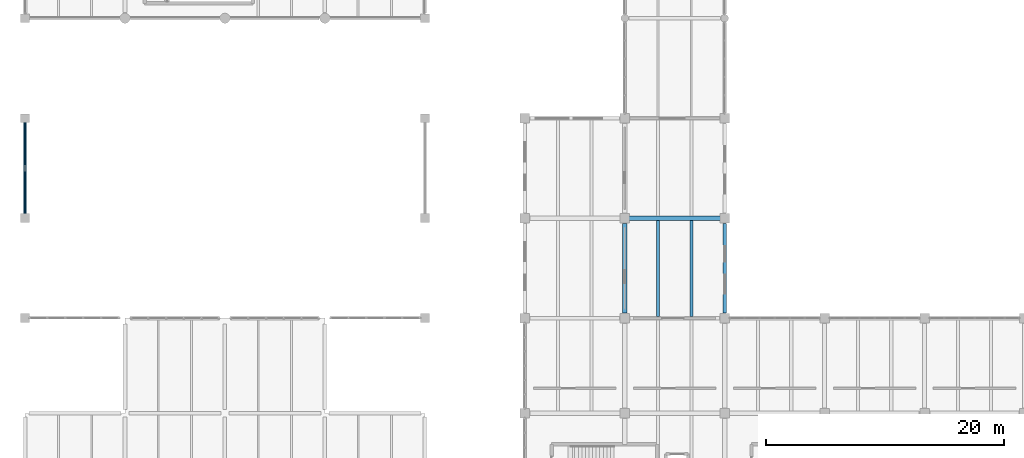
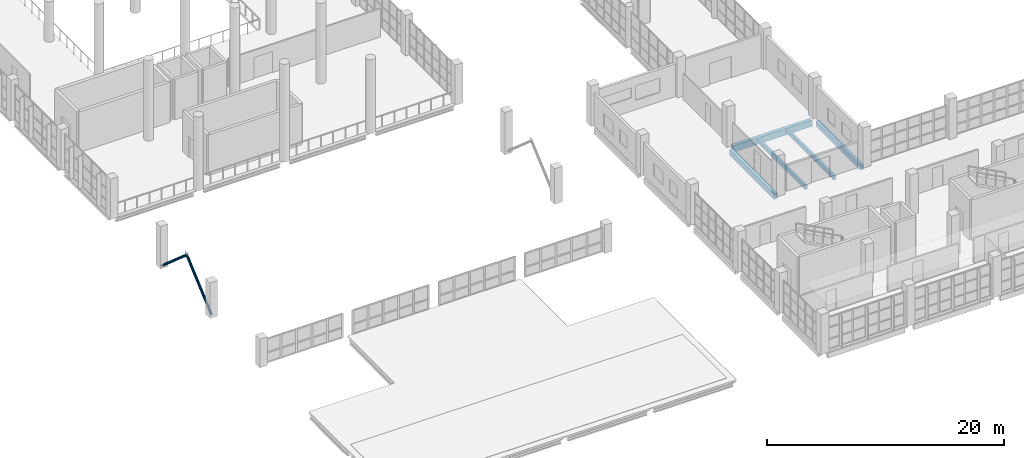
# One storey, part 24 of 177: 5 beams, 2 members.
"""IFC4 building model written with IfcOpenShell, lengths in metres."""

from ifc_helpers import new_model, si_unit, direction, frame, origin, origin_2d, place, context, subcontext, project, spatial, rectangle, hollow_circle, extrude, material, material_profile, profile_set, type_object, element, save


model = new_model("IFC4")

# Units and contexts
model_context = context("Model", 3, precision=1e-05, world=origin(), true_north=direction((0.0, 1.0)))
body_context = subcontext(model_context, "Body", "Model", "MODEL_VIEW")
ifc_project = project(units=[si_unit("LENGTHUNIT", "METRE"), si_unit("AREAUNIT", "SQUARE_METRE"), si_unit("VOLUMEUNIT", "CUBIC_METRE"), si_unit("PLANEANGLEUNIT", "RADIAN"), si_unit("MASSUNIT", "GRAM", prefix="KILO"), si_unit("THERMODYNAMICTEMPERATUREUNIT", "KELVIN"), si_unit("POWERUNIT", "WATT")], contexts=[model_context])

# Site, building, storey
site_placement = place(None, origin())
site = spatial("IfcSite", under=ifc_project, at=site_placement, CompositionType="ELEMENT")
building_placement = place(site_placement, origin())
building = spatial("IfcBuilding", under=site, at=building_placement, Name="Mavoryth Pier Ferry Terminal", CompositionType="ELEMENT")
storey_placement = place(building_placement, frame((0.0, 0.0, 5.43994140625)))
storey = spatial("IfcBuildingStorey", under=building, at=storey_placement, Name="L01", CompositionType="ELEMENT", Elevation=5.43994140625)

# Members
ifc_material_1 = material(Name="Steel S355J2", Category="steel")
ifc_material_profile_1 = material_profile(ifc_material_1, hollow_circle(Radius=0.122314453125, WallThickness=0.012451171875, at=origin_2d()), Name="CHS 244.5x12.5", Category="steel")
ifc_profile_set_1 = profile_set([ifc_material_profile_1], Name="Steel S355J2 - CHS 244.5x12.5")
member_type = type_object("IfcMemberType", Name="Brace-Diag-CHS245", PredefinedType="BRACE", material=ifc_profile_set_1)
member_1_placement = place(storey_placement, frame((0.0, 30.39990234375, 0.0), z_axis=(0.0, 0.753910743037, 0.656976857685), x_axis=(-1.0, 0.0, 0.0)))
element("IfcMember", 1, at=member_1_placement, inside=storey, type_object=member_type, Name="Steel Member MB-L01-0310", PredefinedType="BRACE", context=body_context, shape_type="SweptSolid", body=[
    extrude(hollow_circle(Radius=0.122314453125, WallThickness=0.012451171875, at=origin_2d()), origin(), (0.0, 0.0, 1.0), 5.5712890625),
])
member_2_placement = place(storey_placement, frame((0.0, 38.800048828125, 0.0), z_axis=(0.0, -0.753891827784, 0.656998563165), x_axis=(1.0, 0.0, 0.0)))
element("IfcMember", 2, at=member_2_placement, inside=storey, type_object=member_type, Name="Steel Member MB-L01-0311", PredefinedType="BRACE", context=body_context, shape_type="SweptSolid", body=[
    extrude(hollow_circle(Radius=0.122314453125, WallThickness=0.012451171875, at=origin_2d()), origin(), (0.0, 0.0, 1.0), 5.571044921875),
])

# Beams
ifc_material_2 = material(Name="Concrete C35/45", Category="concrete")
ifc_material_profile_2 = material_profile(ifc_material_2, rectangle(XDim=0.35009765625, YDim=0.60009765625, at=origin_2d()), Name="RC 350x600", Category="concrete")
ifc_profile_set_2 = profile_set([ifc_material_profile_2], Name="Concrete C35/45 - RC 350x600")
beam_type_1 = type_object("IfcBeamType", Name="Girder-RC-350x600", PredefinedType="BEAM", material=ifc_profile_set_2)
beam_1_placement = place(storey_placement, frame((50.39990234375, 22.449951171875, -0.56005859375), z_axis=(0.0, 1.0, 0.0), x_axis=(-1.0, 0.0, 0.0)))
element("IfcBeam", 3, at=beam_1_placement, inside=storey, type_object=beam_type_1, Name="Beam B01-BG08-0592", PredefinedType="BEAM", context=body_context, shape_type="SweptSolid", body=[
    extrude(rectangle(XDim=0.35009765625, YDim=0.60009765625, at=origin_2d()), origin(), (0.0, 0.0, 1.0), 7.5),
])
ifc_material_profile_3 = material_profile(ifc_material_2, rectangle(XDim=0.35009765625, YDim=0.64990234375, at=origin_2d()), Name="RC 350x650", Category="concrete")
ifc_profile_set_3 = profile_set([ifc_material_profile_3], Name="Concrete C35/45 - RC 350x650")
beam_type_2 = type_object("IfcBeamType", Name="Girder-RC-350x650", PredefinedType="BEAM", material=ifc_profile_set_3)
beam_2_placement = place(storey_placement, frame((50.75, 30.39990234375, -0.5849609375), z_axis=(1.0, 0.0, 0.0), x_axis=(0.0, 1.0, 0.0)))
element("IfcBeam", 4, at=beam_2_placement, inside=storey, type_object=beam_type_2, Name="Beam B01-BG07-0588", PredefinedType="BEAM", context=body_context, shape_type="SweptSolid", body=[
    extrude(rectangle(XDim=0.35009765625, YDim=0.64990234375, at=origin_2d()), origin(), (0.0, 0.0, 1.0), 7.699951171875),
])
ifc_material_profile_4 = material_profile(ifc_material_2, rectangle(XDim=0.239990234375, YDim=0.419921875, at=origin_2d()), Name="RC 240x420", Category="concrete")
ifc_profile_set_4 = profile_set([ifc_material_profile_4], Name="Concrete C35/45 - RC 240x420")
beam_type_3 = type_object("IfcBeamType", Name="Joist-RC-240x420", PredefinedType="JOIST", material=ifc_profile_set_4)
for number, where, z_axis, x_axis, name in (
    (5, (53.199951171875, 22.14990234375, -0.469970703125), (0.0, 1.0, 0.0), (-1.0, 0.0, 0.0), "Beam B01-BJ04-0600"),
    (6, (56.0, 22.14990234375, -0.469970703125), (0.0, 1.0, 0.0), (-1.0, 0.0, 0.0), "Beam B01-BJ04-0601"),
):
    element("IfcBeam", number, at=place(storey_placement, frame(where, z_axis=z_axis, x_axis=x_axis)), inside=storey, type_object=beam_type_3, Name=name, PredefinedType="JOIST", context=body_context, shape_type="SweptSolid", body=[
        extrude(rectangle(XDim=0.239990234375, YDim=0.419921875, at=origin_2d()), origin(), (0.0, 0.0, 1.0), 8.0751953125),
    ])
ifc_material_profile_5 = material_profile(ifc_material_2, rectangle(XDim=0.300048828125, YDim=0.5400390625, at=origin_2d()), Name="RC 300x540", Category="concrete")
ifc_profile_set_5 = profile_set([ifc_material_profile_5], Name="Concrete C35/45 - RC 300x540")
beam_type_4 = type_object("IfcBeamType", Name="Spandrel-RC-300x540", PredefinedType="SPANDREL", material=ifc_profile_set_5)
beam_3_placement = place(storey_placement, frame((58.800048828125, 22.449951171875, -0.530029296875), z_axis=(0.0, 1.0, 0.0), x_axis=(-1.0, 0.0, 0.0)))
element("IfcBeam", 7, at=beam_3_placement, inside=storey, type_object=beam_type_4, Name="Beam B01-SP02-0594", PredefinedType="SPANDREL", context=body_context, shape_type="SweptSolid", body=[
    extrude(rectangle(XDim=0.300048828125, YDim=0.5400390625, at=origin_2d()), origin(), (0.0, 0.0, 1.0), 7.5),
])

save(model, "model.ifc")
